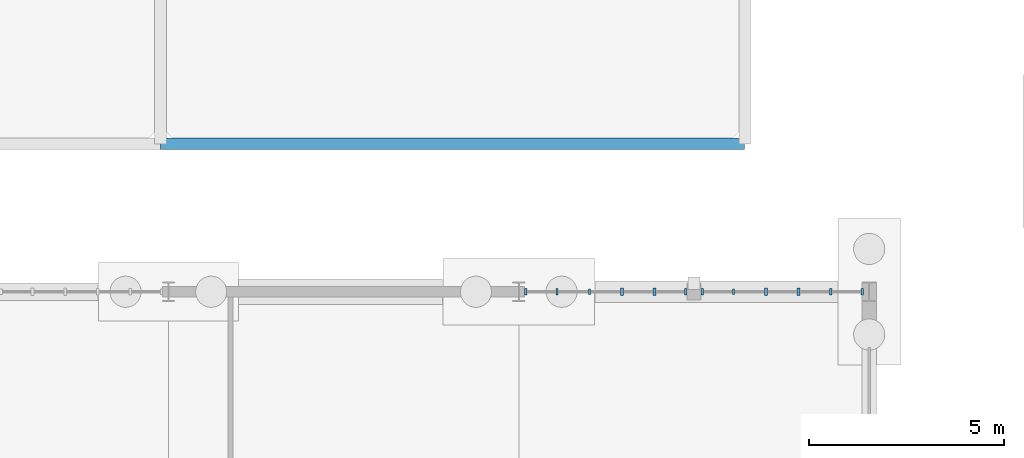
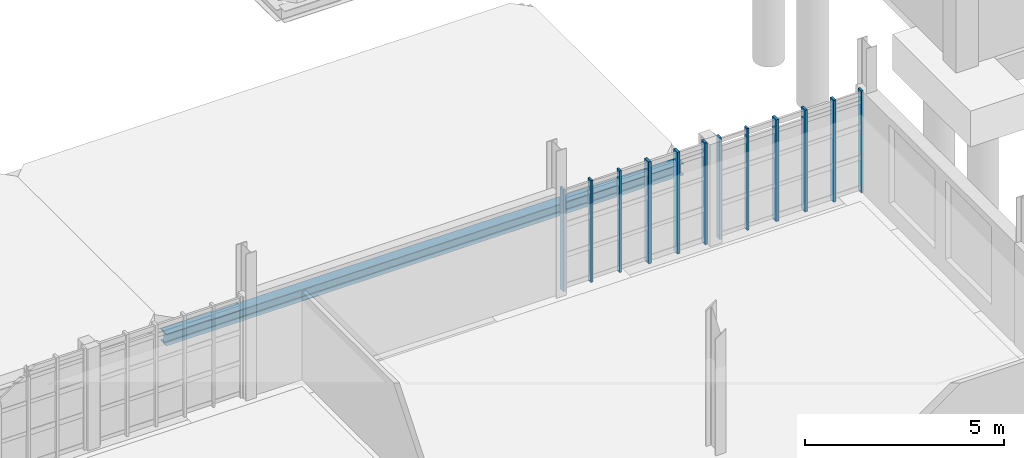
# One storey, part 41 of 125: 12 members, 1 beam, 2 elements without a shape of their own.
"""IFC4 building model written with IfcOpenShell, lengths in metres."""

from ifc_helpers import new_model, si_unit, direction, frame, origin, origin_2d, place, context, subcontext, project, spatial, rectangle, i_section, extrude, material, material_profile, profile_set, type_object, element, aggregate, save


model = new_model("IFC4")

# Units and contexts
model_context = context("Model", 3, precision=1e-05, world=origin(), true_north=direction((0.0, 1.0)))
body_context = subcontext(model_context, "Body", "Model", "MODEL_VIEW")
ifc_project = project(units=[si_unit("LENGTHUNIT", "METRE"), si_unit("AREAUNIT", "SQUARE_METRE"), si_unit("VOLUMEUNIT", "CUBIC_METRE"), si_unit("PLANEANGLEUNIT", "RADIAN"), si_unit("MASSUNIT", "GRAM", prefix="KILO")], contexts=[model_context])

# Site, building, storey
site_placement = place(None, origin())
site = spatial("IfcSite", under=ifc_project, at=site_placement, CompositionType="ELEMENT")
building_placement = place(site_placement, origin())
building = spatial("IfcBuilding", under=site, at=building_placement, Name="Serraforn Aerial Cableway Station", CompositionType="ELEMENT")
storey_placement = place(building_placement, frame((0.0, 0.0, 4.5)))
storey = spatial("IfcBuildingStorey", under=building, at=storey_placement, Name="L01", CompositionType="ELEMENT", Elevation=4.5)

# Beam
ifc_material_1 = material(Name="Steel S355JR", Category="steel")
ifc_material_profile_1 = material_profile(ifc_material_1, i_section(OverallWidth=0.300048828125, OverallDepth=0.360107421875, WebThickness=0.010009765625, FlangeThickness=0.017578125, FilletRadius=0.027099609375, at=origin_2d()), Name="HEA 360")
ifc_profile_set_1 = profile_set([ifc_material_profile_1], Name="Steel S355JR")
beam_type = type_object("IfcBeamType", Name="BM-ST-HEA360", PredefinedType="BEAM", material=ifc_profile_set_1)
beam_placement = place(storey_placement, frame((121.0, 45.800048828125, -0.47998046875), z_axis=(1.0, 0.0, 0.0), x_axis=(0.0, 1.0, 0.0)))
element("IfcBeam", 1, at=beam_placement, inside=storey, type_object=beam_type, Name="Colonnade Spandrel Beam NPX-3-1", PredefinedType="BEAM", context=body_context, shape_type="SweptSolid", body=[
    extrude(i_section(OverallWidth=0.300048828125, OverallDepth=0.360107421875, WebThickness=0.010009765625, FlangeThickness=0.017578125, FilletRadius=0.027099609375, at=origin_2d()), origin(), (0.0, 0.0, 1.0), 15.0),
])

# Curtain wall, member
ifc_material_2 = material(Name="Anodised bronze unitised curtain wall")
curtain_wall_type_1 = type_object("IfcCurtainWallType", Name="CW-SYS-21", PredefinedType="USERDEFINED", material=ifc_material_2)
curtain_wall_1_placement = place(storey_placement, origin())
curtain_wall_1 = element("IfcCurtainWall", 2, at=curtain_wall_1_placement, inside=storey, type_object=curtain_wall_type_1, Name="Unitised Curtain Wall CW-EL-L01-N5A", ObjectType="UNITISED CURTAIN WALL", PredefinedType="USERDEFINED")
ifc_material_3 = material(Name="Anodised bronze extruded aluminium", Category="aluminium")
ifc_material_profile_2 = material_profile(ifc_material_3, rectangle(XDim=0.054931640625, YDim=0.139892578125, at=origin_2d()), Name="CW MULLION 55x140")
ifc_profile_set_2 = profile_set([ifc_material_profile_2], Name="Anodised bronze extruded aluminium")
member_type_1 = type_object("IfcMemberType", Name="CW-MUL-1", PredefinedType="MULLION", material=ifc_profile_set_2)
member_1_placement = place(storey_placement, frame((135.71435546875, 42.0, 0.0), z_axis=(0.0, 0.0, 1.0), x_axis=(-1.0, 0.0, 0.0)))
member_1 = element("IfcMember", 3, at=member_1_placement, type_object=member_type_1, Name="Curtain Wall Mullion CW-EL-L01-N5A-M5", PredefinedType="MULLION", context=body_context, shape_type="SweptSolid", body=[
    extrude(rectangle(XDim=0.054931640625, YDim=0.139892578125, at=origin_2d()), origin(), (0.0, 0.0, 1.0), 3.1201171875),
])

curtain_wall_type_2 = type_object("IfcCurtainWallType", Name="CW-SYS-22", PredefinedType="USERDEFINED", material=ifc_material_2)
curtain_wall_2_placement = place(storey_placement, origin())
curtain_wall_2 = element("IfcCurtainWall", 4, at=curtain_wall_2_placement, inside=storey, type_object=curtain_wall_type_2, Name="Unitised Curtain Wall CW-EL-L01-N5B", ObjectType="UNITISED CURTAIN WALL", PredefinedType="USERDEFINED")
member_2_placement = place(storey_placement, frame((132.016845703125, 42.0, 0.0), z_axis=(0.0, 0.0, 1.0), x_axis=(-1.0, 0.0, 0.0)))
member_2 = element("IfcMember", 5, at=member_2_placement, type_object=member_type_1, Name="Curtain Wall Mullion CW-EL-L01-N5B-M4", PredefinedType="MULLION", context=body_context, shape_type="SweptSolid", body=[
    extrude(rectangle(XDim=0.054931640625, YDim=0.139892578125, at=origin_2d()), origin(), (0.0, 0.0, 1.0), 3.1201171875),
])

# Member
ifc_material_profile_3 = material_profile(ifc_material_3, rectangle(XDim=0.06005859375, YDim=0.159912109375, at=origin_2d()), Name="CW MULLION 60x160")
ifc_profile_set_3 = profile_set([ifc_material_profile_3], Name="Anodised bronze extruded aluminium")
member_type_2 = type_object("IfcMemberType", Name="CW-MUL-2", PredefinedType="MULLION", material=ifc_profile_set_3)
member_3_placement = place(storey_placement, frame((139.02197265625, 42.0, 0.0), z_axis=(0.0, 0.0, 1.0), x_axis=(-1.0, 0.0, 0.0)))
member_3 = element("IfcMember", 6, at=member_3_placement, type_object=member_type_2, Name="Curtain Wall Mullion CW-EL-L01-N5A-M1", PredefinedType="MULLION", context=body_context, shape_type="SweptSolid", body=[
    extrude(rectangle(XDim=0.06005859375, YDim=0.159912109375, at=origin_2d()), origin(), (0.0, 0.0, 1.0), 3.1201171875),
])

member_4_placement = place(storey_placement, frame((134.909912109375, 42.0, 0.0), z_axis=(0.0, 0.0, 1.0), x_axis=(-1.0, 0.0, 0.0)))
member_4 = element("IfcMember", 7, at=member_4_placement, type_object=member_type_2, Name="Curtain Wall Mullion CW-EL-L01-N5A-M6", PredefinedType="MULLION", context=body_context, shape_type="SweptSolid", body=[
    extrude(rectangle(XDim=0.06005859375, YDim=0.159912109375, at=origin_2d()), origin(), (0.0, 0.0, 1.0), 3.1201171875),
])

member_5_placement = place(storey_placement, frame((131.182373046875, 42.0, 0.0), z_axis=(0.0, 0.0, 1.0), x_axis=(-1.0, 0.0, 0.0)))
member_5 = element("IfcMember", 8, at=member_5_placement, type_object=member_type_2, Name="Curtain Wall Mullion CW-EL-L01-N5B-M5", PredefinedType="MULLION", context=body_context, shape_type="SweptSolid", body=[
    extrude(rectangle(XDim=0.06005859375, YDim=0.159912109375, at=origin_2d()), origin(), (0.0, 0.0, 1.0), 3.1201171875),
])

ifc_material_profile_4 = material_profile(ifc_material_3, rectangle(XDim=0.06494140625, YDim=0.175048828125, at=origin_2d()), Name="CW MULLION 65x175")
ifc_profile_set_4 = profile_set([ifc_material_profile_4], Name="Anodised bronze extruded aluminium")
member_type_3 = type_object("IfcMemberType", Name="CW-MUL-3", PredefinedType="MULLION", material=ifc_profile_set_4)
member_6_placement = place(storey_placement, frame((138.217529296875, 42.0, 0.0), z_axis=(0.0, 0.0, 1.0), x_axis=(-1.0, 0.0, 0.0)))
member_6 = element("IfcMember", 9, at=member_6_placement, type_object=member_type_3, Name="Curtain Wall Mullion CW-EL-L01-N5A-M2", PredefinedType="MULLION", context=body_context, shape_type="SweptSolid", body=[
    extrude(rectangle(XDim=0.06494140625, YDim=0.175048828125, at=origin_2d()), origin(), (0.0, 0.0, 1.0), 3.1201171875),
])

member_7_placement = place(storey_placement, frame((134.487548828125, 42.0, 0.0), z_axis=(0.0, 0.0, 1.0), x_axis=(-1.0, 0.0, 0.0)))
member_7 = element("IfcMember", 10, at=member_7_placement, type_object=member_type_3, Name="Curtain Wall Mullion CW-EL-L01-N5B-M1", PredefinedType="MULLION", context=body_context, shape_type="SweptSolid", body=[
    extrude(rectangle(XDim=0.06494140625, YDim=0.175048828125, at=origin_2d()), origin(), (0.0, 0.0, 1.0), 3.1201171875),
])

member_8_placement = place(storey_placement, frame((130.380615234375, 42.0, 0.0), z_axis=(0.0, 0.0, 1.0), x_axis=(-1.0, 0.0, 0.0)))
member_8 = element("IfcMember", 11, at=member_8_placement, type_object=member_type_3, Name="Curtain Wall Mullion CW-EL-L01-N5B-M6", PredefinedType="MULLION", context=body_context, shape_type="SweptSolid", body=[
    extrude(rectangle(XDim=0.06494140625, YDim=0.175048828125, at=origin_2d()), origin(), (0.0, 0.0, 1.0), 3.1201171875),
])

ifc_material_profile_5 = material_profile(ifc_material_3, rectangle(XDim=0.070068359375, YDim=0.18994140625, at=origin_2d()), Name="CW MULLION 70x190")
ifc_profile_set_5 = profile_set([ifc_material_profile_5], Name="Anodised bronze extruded aluminium")
member_type_4 = type_object("IfcMemberType", Name="CW-MUL-4", PredefinedType="MULLION", material=ifc_profile_set_5)
member_9_placement = place(storey_placement, frame((137.38330078125, 42.0, 0.0), z_axis=(0.0, 0.0, 1.0), x_axis=(-1.0, 0.0, 0.0)))
member_9 = element("IfcMember", 12, at=member_9_placement, type_object=member_type_4, Name="Curtain Wall Mullion CW-EL-L01-N5A-M3", PredefinedType="MULLION", context=body_context, shape_type="SweptSolid", body=[
    extrude(rectangle(XDim=0.070068359375, YDim=0.18994140625, at=origin_2d()), origin(), (0.0, 0.0, 1.0), 3.1201171875),
])

member_10_placement = place(storey_placement, frame((133.685546875, 42.0, 0.0), z_axis=(0.0, 0.0, 1.0), x_axis=(-1.0, 0.0, 0.0)))
member_10 = element("IfcMember", 13, at=member_10_placement, type_object=member_type_4, Name="Curtain Wall Mullion CW-EL-L01-N5B-M2", PredefinedType="MULLION", context=body_context, shape_type="SweptSolid", body=[
    extrude(rectangle(XDim=0.070068359375, YDim=0.18994140625, at=origin_2d()), origin(), (0.0, 0.0, 1.0), 3.1201171875),
])

ifc_material_profile_6 = material_profile(ifc_material_3, rectangle(XDim=0.074951171875, YDim=0.199951171875, at=origin_2d()), Name="CW MULLION 75x200")
ifc_profile_set_6 = profile_set([ifc_material_profile_6], Name="Anodised bronze extruded aluminium")
member_type_5 = type_object("IfcMemberType", Name="CW-MUL-5", PredefinedType="MULLION", material=ifc_profile_set_6)
member_11_placement = place(storey_placement, frame((136.548828125, 42.0, 0.0), z_axis=(0.0, 0.0, 1.0), x_axis=(-1.0, 0.0, 0.0)))
member_11 = element("IfcMember", 14, at=member_11_placement, type_object=member_type_5, Name="Curtain Wall Mullion CW-EL-L01-N5A-M4", PredefinedType="MULLION", context=body_context, shape_type="SweptSolid", body=[
    extrude(rectangle(XDim=0.074951171875, YDim=0.199951171875, at=origin_2d()), origin(), (0.0, 0.0, 1.0), 3.1201171875),
])

aggregate(curtain_wall_1, [member_3, member_6, member_9, member_11, member_1, member_4])

member_12_placement = place(storey_placement, frame((132.851318359375, 42.0, 0.0), z_axis=(0.0, 0.0, 1.0), x_axis=(-1.0, 0.0, 0.0)))
member_12 = element("IfcMember", 15, at=member_12_placement, type_object=member_type_5, Name="Curtain Wall Mullion CW-EL-L01-N5B-M3", PredefinedType="MULLION", context=body_context, shape_type="SweptSolid", body=[
    extrude(rectangle(XDim=0.074951171875, YDim=0.199951171875, at=origin_2d()), origin(), (0.0, 0.0, 1.0), 3.1201171875),
])

aggregate(curtain_wall_2, [member_7, member_10, member_12, member_2, member_5, member_8])

save(model, "model.ifc")
